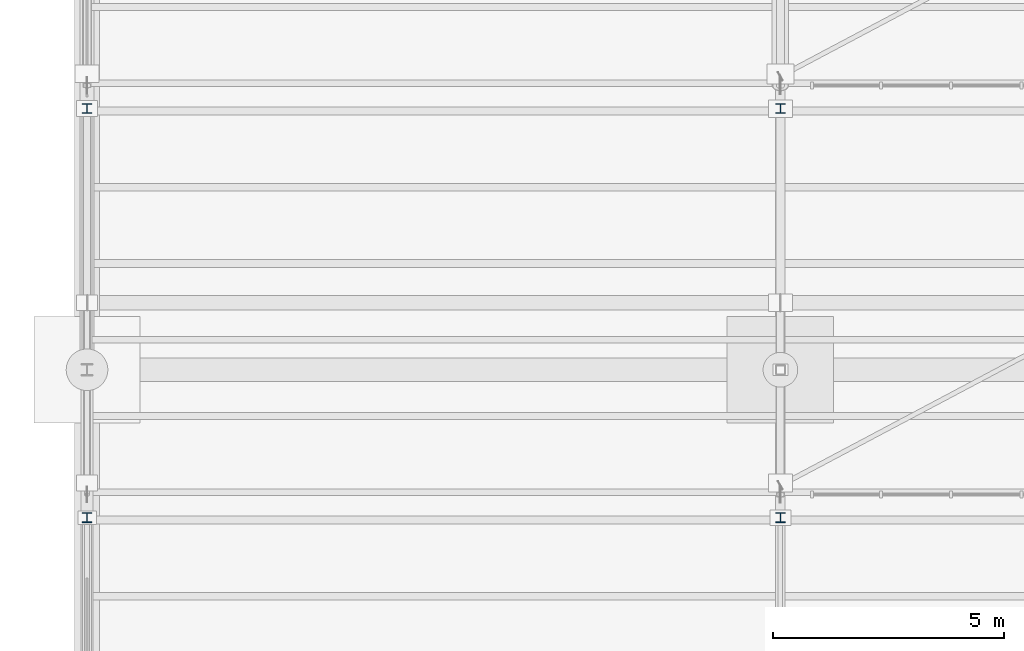
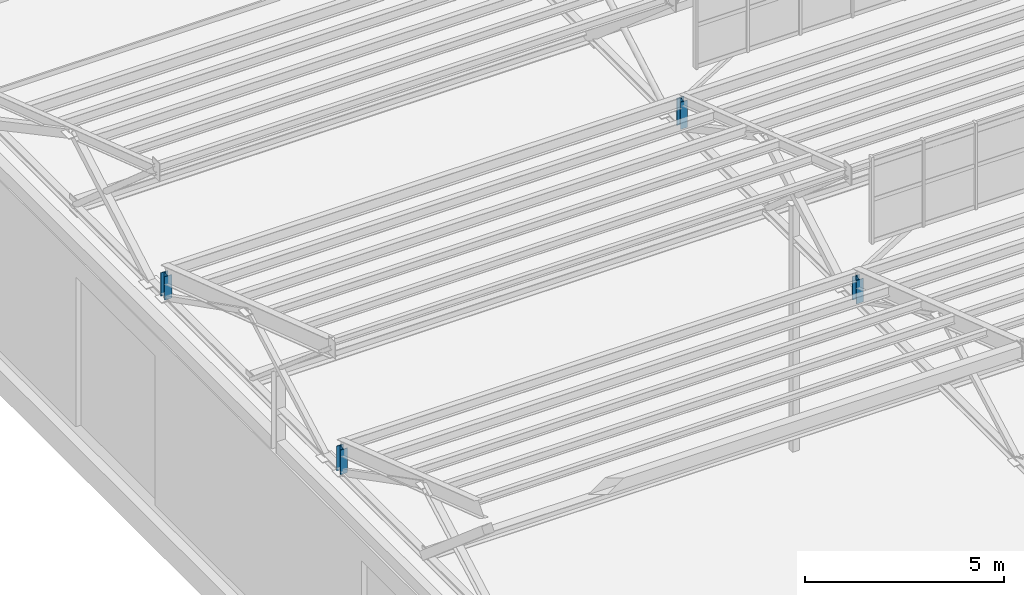
# One storey, part 141 of 285: 4 members.
"""IFC4 building model written with IfcOpenShell, lengths in metres."""

from ifc_helpers import new_model, si_unit, direction, frame, origin, origin_2d, place, context, subcontext, project, spatial, i_section, extrude, material, material_profile, profile_set, type_object, element, save


model = new_model("IFC4")

# Units and contexts
model_context = context("Model", 3, precision=1e-05, world=origin(), true_north=direction((0.0, 1.0)))
body_context = subcontext(model_context, "Body", "Model", "MODEL_VIEW")
ifc_project = project(units=[si_unit("LENGTHUNIT", "METRE"), si_unit("AREAUNIT", "SQUARE_METRE"), si_unit("VOLUMEUNIT", "CUBIC_METRE"), si_unit("PLANEANGLEUNIT", "RADIAN"), si_unit("MASSUNIT", "GRAM", prefix="KILO")], contexts=[model_context])

# Site, building, storey
site_placement = place(None, origin())
site = spatial("IfcSite", under=ifc_project, at=site_placement, CompositionType="ELEMENT")
building_placement = place(site_placement, origin())
building = spatial("IfcBuilding", under=site, at=building_placement, Name="Solanera Park Tramway Depot", CompositionType="ELEMENT")
storey_placement = place(building_placement, origin())
storey = spatial("IfcBuildingStorey", under=building, at=storey_placement, Name="L00", CompositionType="ELEMENT", Elevation=0.0)

# Members
ifc_material = material(Name="Steel AS/NZS 3679.1 Grade 350", Category="steel")
ifc_material_profile = material_profile(ifc_material, i_section(OverallWidth=0.205078125, OverallDepth=0.209716796875, WebThickness=0.00927734375, FlangeThickness=0.01416015625, at=origin_2d()), Name="200UC59.5")
ifc_profile_set = profile_set([ifc_material_profile], Name="Steel AS/NZS 3679.1 Grade 350")
member_type = type_object("IfcMemberType", Name="Roof Gantry Compression Strut 200UC59.5", PredefinedType="STRUT", material=ifc_profile_set)
member_1_placement = place(storey_placement, frame((0.0, 81.800048828125, 6.5), z_axis=(0.0, 0.0, 1.0), x_axis=(1.0, 0.0, 0.0)))
element("IfcMember", 1, at=member_1_placement, inside=storey, type_object=member_type, Name="Sawtooth ROOF TRUSS Valley Post 200UC59.5 #0019", PredefinedType="STRUT", context=body_context, shape_type="SweptSolid", body=[
    extrude(i_section(OverallWidth=0.205078125, OverallDepth=0.209716796875, WebThickness=0.00927734375, FlangeThickness=0.01416015625, at=origin_2d()), origin(), (0.0, 0.0, 1.0), 0.76220703125),
])
for number, where, z_axis, x_axis, name in (
    (2, (15.0, 81.800048828125, 6.5), (0.0, 0.0, 1.0), (1.0, 0.0, 0.0), "Sawtooth ROOF TRUSS Valley Post 200UC59.5 #0020"),
    (3, (0.0, 90.64990234375, 6.5), (0.0, 0.0, 1.0), (1.0, 0.0, 0.0), "Sawtooth ROOF TRUSS Valley Post 200UC59.5 #0030"),
):
    element("IfcMember", number, at=place(storey_placement, frame(where, z_axis=z_axis, x_axis=x_axis)), inside=storey, type_object=member_type, Name=name, PredefinedType="STRUT", context=body_context, shape_type="SweptSolid", body=[
        extrude(i_section(OverallWidth=0.205078125, OverallDepth=0.209716796875, WebThickness=0.00927734375, FlangeThickness=0.01416015625, at=origin_2d()), origin(), (0.0, 0.0, 1.0), 0.724365234375),
    ])
member_2_placement = place(storey_placement, frame((15.0, 90.64990234375, 6.5), z_axis=(0.0, 0.0, 1.0), x_axis=(1.0, 0.0, 0.0)))
element("IfcMember", 4, at=member_2_placement, inside=storey, type_object=member_type, Name="Sawtooth ROOF TRUSS Valley Post 200UC59.5 #0031", PredefinedType="STRUT", context=body_context, shape_type="SweptSolid", body=[
    extrude(i_section(OverallWidth=0.205078125, OverallDepth=0.209716796875, WebThickness=0.00927734375, FlangeThickness=0.01416015625, at=origin_2d()), origin(), (0.0, 0.0, 1.0), 0.83740234375),
])

save(model, "model.ifc")
